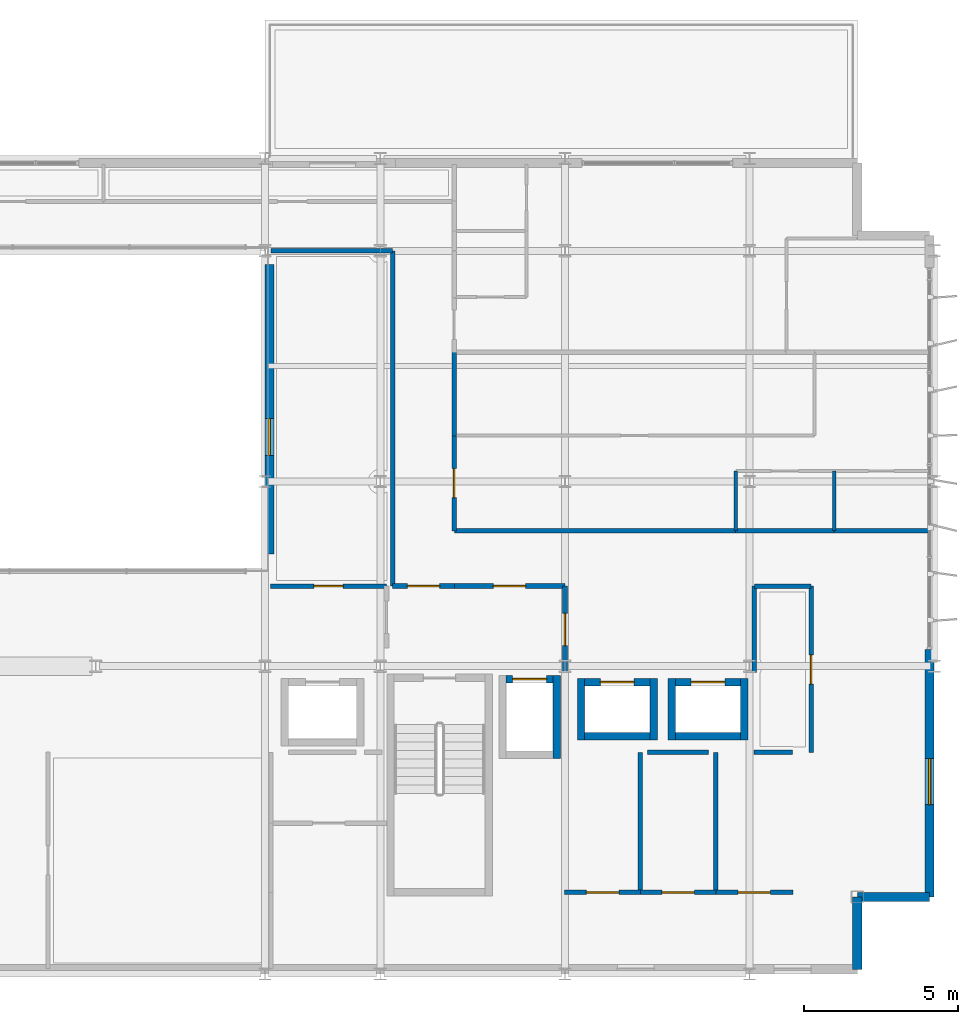
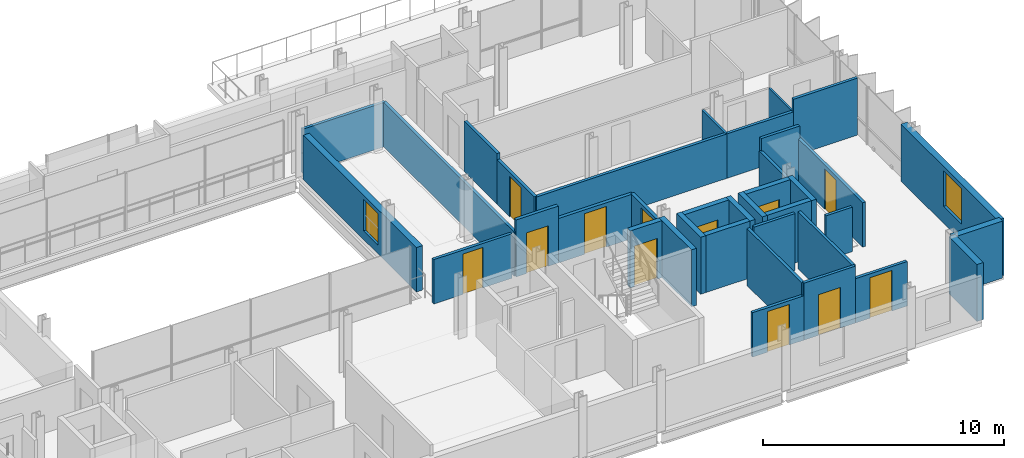
# One storey, part 31 of 38: 37 walls, 12 doors, 2 windows, 14 openings.
"""IFC4 building model written with IfcOpenShell, lengths in metres."""

from ifc_helpers import new_model, si_unit, direction, frame, frame_2d, origin, place, context, subcontext, project, spatial, rectangle, extrude, material, layer, layer_set, type_object, element, fill, save


model = new_model("IFC4")

# Units and contexts
model_context = context("Model", 3, precision=1e-05, world=origin(), true_north=direction((0.0, 1.0)))
body_context = subcontext(model_context, "Body", "Model", "MODEL_VIEW")
ifc_project = project(units=[si_unit("LENGTHUNIT", "METRE"), si_unit("AREAUNIT", "SQUARE_METRE"), si_unit("VOLUMEUNIT", "CUBIC_METRE"), si_unit("PLANEANGLEUNIT", "RADIAN"), si_unit("MASSUNIT", "GRAM", prefix="KILO")], contexts=[model_context])

# Site, building, storey
site_placement = place(None, origin())
site = spatial("IfcSite", under=ifc_project, at=site_placement, CompositionType="ELEMENT")
building_placement = place(site_placement, origin())
building = spatial("IfcBuilding", under=site, at=building_placement, Name="Brevholm Reach", CompositionType="ELEMENT")
storey_placement = place(building_placement, frame((0.0, 0.0, 172.800048828125)))
storey = spatial("IfcBuildingStorey", under=building, at=storey_placement, Name="L52", CompositionType="ELEMENT", Elevation=172.800048828125)

# Wall
ifc_material_1 = material(Name="Concrete C45/55", Category="concrete")
ifc_layer_1 = layer(ifc_material_1, 0.239990234375)
ifc_layer_set_1 = layer_set([ifc_layer_1], Name="Concrete C45/55")
wall_type_1 = type_object("IfcWallType", Name="WAL-COR-240", PredefinedType="SHEAR", material=ifc_layer_set_1)
wall_1_placement = place(storey_placement, frame((47.72998046875, 7.0, 0.0), z_axis=(0.0, 0.0, 1.0), x_axis=(0.0, 1.0, 0.0)))
element("IfcWall", 1, at=wall_1_placement, inside=storey, type_object=wall_type_1, Name="L52 Lift FFL-2 Shaft Wall E", PredefinedType="SHEAR", context=body_context, shape_type="SweptSolid", body=[
    extrude(rectangle(XDim=2.699951171875, YDim=0.239990234375, at=frame_2d((1.35009765625, 0.0))), origin(), (0.0, 0.0, 1.0), 2.889892578125),
])

# Wall, opening, door
wall_2_placement = place(storey_placement, frame((46.090087890625, 9.580078125, 0.0), z_axis=(0.0, 0.0, 1.0), x_axis=(1.0, 0.0, 0.0)))
wall_2 = element("IfcWall", 2, at=wall_2_placement, inside=storey, type_object=wall_type_1, Name="L52 Lift FFL-2 Shaft Wall N", PredefinedType="SHEAR", context=body_context, shape_type="SweptSolid", body=[
    extrude(rectangle(XDim=1.52001953125, YDim=0.239990234375, at=frame_2d((0.760009765625, 0.0))), origin(), (0.0, 0.0, 1.0), 2.889892578125),
])
opening_1_placement = place(wall_2_placement, frame((0.2099609375, 0.0, 0.0)))
opening_1 = element("IfcOpeningElement", 3, at=opening_1_placement, cuts=wall_2, Name="Opening LD-FFL-2", PredefinedType="OPENING", context=body_context, shape_type="SweptSolid", body=[
    extrude(rectangle(XDim=1.10009765625, YDim=2.06005859375, at=frame_2d((0.550048828125, 1.030029296875))), frame((0.0, 0.1298828125, 0.0), z_axis=(0.0, -1.0, 0.0), x_axis=(1.0, 0.0, 0.0)), (0.0, 0.0, 1.0), 0.260009765625),
])
ifc_material_2 = material(Name="Brushed Stainless Steel Fire-Rated Sliding Lift Door", Category="steel")
door_type_1 = type_object("IfcDoorType", Name="DOR-LFT-1100", OperationType="NOTDEFINED", PredefinedType="DOOR", material=ifc_material_2)
door_1_placement = place(opening_1_placement, origin())
door_1 = element("IfcDoor", 4, at=door_1_placement, inside=storey, type_object=door_type_1, Name="L52 Lift FFL-2 Sliding Landing Door", OperationType="SLIDING_TO_LEFT", OverallHeight=2.06005859375, OverallWidth=1.10009765625, PredefinedType="DOOR", context=body_context, shape_type="SweptSolid", body=[
    extrude(rectangle(XDim=1.10009765625, YDim=2.06005859375, at=frame_2d((0.550048828125, 1.030029296875))), frame((0.0, 0.02490234375, 0.0), z_axis=(0.0, -1.0, 0.0), x_axis=(1.0, 0.0, 0.0)), (0.0, 0.0, 1.0), 0.050048828125),
])
fill(opening_1, door_1)

# Walls
for number, where, z_axis, x_axis, name in (
    (5, (48.52001953125, 7.60009765625, 0.0), (0.0, 0.0, 1.0), (0.0, 1.0, 0.0), "L52 Lift PL-H1 Shaft Wall W"),
    (6, (50.8798828125, 7.60009765625, 0.0), (0.0, 0.0, 1.0), (0.0, 1.0, 0.0), "L52 Lift PL-H1 Shaft Wall E"),
):
    element("IfcWall", number, at=place(storey_placement, frame(where, z_axis=z_axis, x_axis=x_axis)), inside=storey, type_object=wall_type_1, Name=name, PredefinedType="SHEAR", context=body_context, shape_type="SweptSolid", body=[
        extrude(rectangle(XDim=2.0, YDim=0.239990234375, at=frame_2d((1.0, 0.0))), origin(), (0.0, 0.0, 1.0), 2.889892578125),
    ])
wall_3_placement = place(storey_placement, frame((48.639892578125, 7.719970703125, 0.0), z_axis=(0.0, 0.0, 1.0), x_axis=(1.0, 0.0, 0.0)))
element("IfcWall", 7, at=wall_3_placement, inside=storey, type_object=wall_type_1, Name="L52 Lift PL-H1 Shaft Wall S", PredefinedType="SHEAR", context=body_context, shape_type="SweptSolid", body=[
    extrude(rectangle(XDim=2.1201171875, YDim=0.239990234375, at=frame_2d((1.06005859375, 0.0))), origin(), (0.0, 0.0, 1.0), 2.889892578125),
])

# Wall, opening, door
wall_4_placement = place(storey_placement, frame((48.639892578125, 9.47998046875, 0.0), z_axis=(0.0, 0.0, 1.0), x_axis=(1.0, 0.0, 0.0)))
wall_4 = element("IfcWall", 8, at=wall_4_placement, inside=storey, type_object=wall_type_1, Name="L52 Lift PL-H1 Shaft Wall N", PredefinedType="SHEAR", context=body_context, shape_type="SweptSolid", body=[
    extrude(rectangle(XDim=2.1201171875, YDim=0.239990234375, at=frame_2d((1.06005859375, 0.0))), origin(), (0.0, 0.0, 1.0), 2.889892578125),
])
opening_2_placement = place(wall_4_placement, frame((0.510009765625, 0.0, 0.0)))
opening_2 = element("IfcOpeningElement", 9, at=opening_2_placement, cuts=wall_4, Name="Opening LD-PL-H1", PredefinedType="OPENING", context=body_context, shape_type="SweptSolid", body=[
    extrude(rectangle(XDim=1.10009765625, YDim=2.06005859375, at=frame_2d((0.550048828125, 1.030029296875))), frame((0.0, 0.1298828125, 0.0), z_axis=(0.0, -1.0, 0.0), x_axis=(1.0, 0.0, 0.0)), (0.0, 0.0, 1.0), 0.260009765625),
])
door_2_placement = place(opening_2_placement, origin())
door_2 = element("IfcDoor", 10, at=door_2_placement, inside=storey, type_object=door_type_1, Name="L52 Lift PL-H1 Sliding Landing Door", OperationType="SLIDING_TO_LEFT", OverallHeight=2.06005859375, OverallWidth=1.10009765625, PredefinedType="DOOR", context=body_context, shape_type="SweptSolid", body=[
    extrude(rectangle(XDim=1.10009765625, YDim=2.06005859375, at=frame_2d((0.550048828125, 1.030029296875))), frame((0.0, 0.02490234375, 0.0), z_axis=(0.0, -1.0, 0.0), x_axis=(1.0, 0.0, 0.0)), (0.0, 0.0, 1.0), 0.050048828125),
])
fill(opening_2, door_2)

# Walls
for number, where, z_axis, x_axis, name in (
    (11, (51.469970703125, 7.60009765625, 0.0), (0.0, 0.0, 1.0), (0.0, 1.0, 0.0), "L52 Lift PL-H2 Shaft Wall W"),
    (12, (53.830078125, 7.60009765625, 0.0), (0.0, 0.0, 1.0), (0.0, 1.0, 0.0), "L52 Lift PL-H2 Shaft Wall E"),
):
    element("IfcWall", number, at=place(storey_placement, frame(where, z_axis=z_axis, x_axis=x_axis)), inside=storey, type_object=wall_type_1, Name=name, PredefinedType="SHEAR", context=body_context, shape_type="SweptSolid", body=[
        extrude(rectangle(XDim=2.0, YDim=0.239990234375, at=frame_2d((1.0, 0.0))), origin(), (0.0, 0.0, 1.0), 2.889892578125),
    ])
wall_5_placement = place(storey_placement, frame((51.590087890625, 7.719970703125, 0.0), z_axis=(0.0, 0.0, 1.0), x_axis=(1.0, 0.0, 0.0)))
element("IfcWall", 13, at=wall_5_placement, inside=storey, type_object=wall_type_1, Name="L52 Lift PL-H2 Shaft Wall S", PredefinedType="SHEAR", context=body_context, shape_type="SweptSolid", body=[
    extrude(rectangle(XDim=2.119873046875, YDim=0.239990234375, at=frame_2d((1.06005859375, 0.0))), origin(), (0.0, 0.0, 1.0), 2.889892578125),
])

# Wall, opening, door
wall_6_placement = place(storey_placement, frame((51.590087890625, 9.47998046875, 0.0), z_axis=(0.0, 0.0, 1.0), x_axis=(1.0, 0.0, 0.0)))
wall_6 = element("IfcWall", 14, at=wall_6_placement, inside=storey, type_object=wall_type_1, Name="L52 Lift PL-H2 Shaft Wall N", PredefinedType="SHEAR", context=body_context, shape_type="SweptSolid", body=[
    extrude(rectangle(XDim=2.119873046875, YDim=0.239990234375, at=frame_2d((1.06005859375, 0.0))), origin(), (0.0, 0.0, 1.0), 2.889892578125),
])
opening_3_placement = place(wall_6_placement, frame((0.510009765625, 0.0, 0.0)))
opening_3 = element("IfcOpeningElement", 15, at=opening_3_placement, cuts=wall_6, Name="Opening LD-PL-H2", PredefinedType="OPENING", context=body_context, shape_type="SweptSolid", body=[
    extrude(rectangle(XDim=1.10009765625, YDim=2.06005859375, at=frame_2d((0.550048828125, 1.030029296875))), frame((0.0, 0.1298828125, 0.0), z_axis=(0.0, -1.0, 0.0), x_axis=(1.0, 0.0, 0.0)), (0.0, 0.0, 1.0), 0.260009765625),
])
door_3_placement = place(opening_3_placement, origin())
door_3 = element("IfcDoor", 16, at=door_3_placement, inside=storey, type_object=door_type_1, Name="L52 Lift PL-H2 Sliding Landing Door", OperationType="SLIDING_TO_RIGHT", OverallHeight=2.06005859375, OverallWidth=1.10009765625, PredefinedType="DOOR", context=body_context, shape_type="SweptSolid", body=[
    extrude(rectangle(XDim=1.10009765625, YDim=2.06005859375, at=frame_2d((0.550048828125, 1.030029296875))), frame((0.0, 0.02490234375, 0.0), z_axis=(0.0, -1.0, 0.0), x_axis=(1.0, 0.0, 0.0)), (0.0, 0.0, 1.0), 0.050048828125),
])
fill(opening_3, door_3)

# Walls
ifc_material_3 = material(Name="Concrete C40/50", Category="concrete")
ifc_layer_2 = layer(ifc_material_3, 0.300048828125)
ifc_layer_set_2 = layer_set([ifc_layer_2], Name="Concrete C40/50")
wall_type_2 = type_object("IfcWallType", Name="WAL-EXT-300", PredefinedType="STANDARD", material=ifc_layer_set_2)
for number, where, z_axis, x_axis, name in (
    (17, (57.5, 0.14990234375, 0.0), (0.0, 0.0, 1.0), (0.0, 1.0, 0.0), "L52 Facade Wall WAL-L52-CSE1"),
    (18, (57.5, 2.5, 0.0), (0.0, 0.0, 1.0), (1.0, 0.0, 0.0), "L52 Facade Wall WAL-L52-CSE2"),
):
    element("IfcWall", number, at=place(storey_placement, frame(where, z_axis=z_axis, x_axis=x_axis)), inside=storey, type_object=wall_type_2, Name=name, PredefinedType="STANDARD", context=body_context, shape_type="SweptSolid", body=[
        extrude(rectangle(XDim=2.35009765625, YDim=0.300048828125, at=frame_2d((1.175048828125, 0.0))), origin(), (0.0, 0.0, 1.0), 2.889892578125),
    ])

# Wall, opening, window
wall_7_placement = place(storey_placement, frame((59.85009765625, 2.5, 0.0), z_axis=(0.0, 0.0, 1.0), x_axis=(0.0, 1.0, 0.0)))
wall_7 = element("IfcWall", 19, at=wall_7_placement, inside=storey, type_object=wall_type_2, Name="L52 Facade Wall WAL-L52-E-S", PredefinedType="STANDARD", context=body_context, shape_type="SweptSolid", body=[
    extrude(rectangle(XDim=8.050048828125, YDim=0.300048828125, at=frame_2d((4.02490234375, 0.0))), origin(), (0.0, 0.0, 1.0), 2.889892578125),
])
opening_4_placement = place(wall_7_placement, frame((3.0, 0.0, 0.8701171875)))
opening_4 = element("IfcOpeningElement", 20, at=opening_4_placement, cuts=wall_7, Name="Opening WN-05", PredefinedType="OPENING", context=body_context, shape_type="SweptSolid", body=[
    extrude(rectangle(XDim=1.5, YDim=1.800048828125, at=frame_2d((0.75, 0.89990234375))), frame((0.0, 0.159912109375, 0.0), z_axis=(0.0, -1.0, 0.0), x_axis=(1.0, 0.0, 0.0)), (0.0, 0.0, 1.0), 0.320068359375),
])
ifc_material_4 = material(Name="Dark Anodised Aluminium and Solar-Control IGU Glass", Category="aluminium")
window_type_1 = type_object("IfcWindowType", Name="WIN-RES-1500", PartitioningType="SINGLE_PANEL", PredefinedType="WINDOW", material=ifc_material_4)
window_1_placement = place(opening_4_placement, origin())
window_1 = element("IfcWindow", 21, at=window_1_placement, inside=storey, type_object=window_type_1, Name="L52 Window WIN-L52-ES-1", OverallHeight=1.800048828125, OverallWidth=1.5, PartitioningType="SINGLE_PANEL", PredefinedType="WINDOW", context=body_context, shape_type="SweptSolid", body=[
    extrude(rectangle(XDim=1.5, YDim=1.800048828125, at=frame_2d((0.75, 0.89990234375))), frame((0.0, 0.030029296875, 0.0), z_axis=(0.0, -1.0, 0.0), x_axis=(1.0, 0.0, 0.0)), (0.0, 0.0, 1.0), 0.06005859375),
])
fill(opening_4, window_1)

wall_8_placement = place(storey_placement, frame((38.39990234375, 13.64990234375, 0.0), z_axis=(0.0, 0.0, 1.0), x_axis=(0.0, 1.0, 0.0)))
wall_8 = element("IfcWall", 22, at=wall_8_placement, inside=storey, type_object=wall_type_2, Name="L52 Facade Wall WAL-L52-AT-E", PredefinedType="STANDARD", context=body_context, shape_type="SweptSolid", body=[
    extrude(rectangle(XDim=9.400146484375, YDim=0.300048828125, at=frame_2d((4.7001953125, 0.0))), origin(), (0.0, 0.0, 1.0), 2.252685546875),
])
opening_5_placement = place(wall_8_placement, frame((3.199951171875, 0.0, 0.43310546875)))
opening_5 = element("IfcOpeningElement", 23, at=opening_5_placement, cuts=wall_8, Name="Opening WN-08", PredefinedType="OPENING", context=body_context, shape_type="SweptSolid", body=[
    extrude(rectangle(XDim=1.199951171875, YDim=1.60009765625, at=frame_2d((0.60009765625, 0.800048828125))), frame((0.0, 0.159912109375, 0.0), z_axis=(0.0, -1.0, 0.0), x_axis=(1.0, 0.0, 0.0)), (0.0, 0.0, 1.0), 0.320068359375),
])
ifc_material_5 = material(Name="Dark Anodised Aluminium and Solar-Control IGU Glass", Category="aluminium")
window_type_2 = type_object("IfcWindowType", Name="WIN-RES-1200", PartitioningType="SINGLE_PANEL", PredefinedType="WINDOW", material=ifc_material_5)
window_2_placement = place(opening_5_placement, origin())
window_2 = element("IfcWindow", 24, at=window_2_placement, inside=storey, type_object=window_type_2, Name="L52 Window WIN-L52-AT-E1", OverallHeight=1.60009765625, OverallWidth=1.199951171875, PartitioningType="SINGLE_PANEL", PredefinedType="WINDOW", context=body_context, shape_type="SweptSolid", body=[
    extrude(rectangle(XDim=1.199951171875, YDim=1.60009765625, at=frame_2d((0.60009765625, 0.800048828125))), frame((0.0, 0.030029296875, 0.0), z_axis=(0.0, -1.0, 0.0), x_axis=(1.0, 0.0, 0.0)), (0.0, 0.0, 1.0), 0.06005859375),
])
fill(opening_5, window_2)

# Walls
ifc_material_6 = material(Name="Moisture-Resistant Acoustic Gypsum Stud Partition 100 mm", Category="gypsum")
ifc_layer_3 = layer(ifc_material_6, 0.10009765625)
ifc_layer_set_3 = layer_set([ifc_layer_3], Name="Moisture-Resistant Acoustic Gypsum Stud Partition 100 mm")
wall_type_3 = type_object("IfcWallType", Name="WAL-PRT-100", PredefinedType="PARTITIONING", material=ifc_layer_set_3)
for number, where, z_axis, x_axis, name in (
    (25, (56.75, 14.404052734375, 0.0), (0.0, 0.0, 1.0), (0.0, 1.0, 0.0), "L52 Internal Partition 087"),
    (26, (53.550048828125, 14.404052734375, 0.0), (0.0, 0.0, 1.0), (0.0, 1.0, 0.0), "L52 Internal Partition 090"),
):
    element("IfcWall", number, at=place(storey_placement, frame(where, z_axis=z_axis, x_axis=x_axis)), inside=storey, type_object=wall_type_3, Name=name, PredefinedType="PARTITIONING", context=body_context, shape_type="SweptSolid", body=[
        extrude(rectangle(XDim=1.946044921875, YDim=0.10009765625, at=frame_2d((0.97314453125, 0.0))), origin(), (0.0, 0.0, 1.0), 2.252685546875),
    ])

# Wall, opening, door
ifc_material_7 = material(Name="Twin-Stud Acoustic Fire-Rated Gypsum Partition 140 mm", Category="gypsum")
ifc_layer_4 = layer(ifc_material_7, 0.139892578125)
ifc_layer_set_4 = layer_set([ifc_layer_4], Name="Twin-Stud Acoustic Fire-Rated Gypsum Partition 140 mm")
wall_type_4 = type_object("IfcWallType", Name="WAL-PRT-140", PredefinedType="PARTITIONING", material=ifc_layer_set_4)
wall_9_placement = place(storey_placement, frame((56.0, 7.188720703125, 0.0), z_axis=(0.0, 0.0, 1.0), x_axis=(0.0, 1.0, 0.0)))
wall_9 = element("IfcWall", 27, at=wall_9_placement, inside=storey, type_object=wall_type_4, Name="L52 Internal Partition 016", PredefinedType="PARTITIONING", context=body_context, shape_type="SweptSolid", body=[
    extrude(rectangle(XDim=5.411376953125, YDim=0.139892578125, at=frame_2d((2.70556640625, 0.0))), origin(), (0.0, 0.0, 1.0), 2.252685546875),
])
opening_6_placement = place(wall_9_placement, frame((2.230712890625, 0.0, 0.0)))
opening_6 = element("IfcOpeningElement", 28, at=opening_6_placement, cuts=wall_9, Name="Opening ID-30", PredefinedType="OPENING", context=body_context, shape_type="SweptSolid", body=[
    extrude(rectangle(XDim=0.949951171875, YDim=2.050048828125, at=frame_2d((0.47509765625, 1.02490234375))), frame((0.0, 0.079833984375, 0.0), z_axis=(0.0, -1.0, 0.0), x_axis=(1.0, 0.0, 0.0)), (0.0, 0.0, 1.0), 0.159912109375),
])
ifc_material_8 = material(Name="European Oak Veneered Solid-Core Fire Entrance Door", Category="timber")
door_type_2 = type_object("IfcDoorType", Name="DOR-FLT-FD30S", OperationType="NOTDEFINED", PredefinedType="DOOR", material=ifc_material_8)
door_4_placement = place(opening_6_placement, origin())
door_4 = element("IfcDoor", 29, at=door_4_placement, inside=storey, type_object=door_type_2, Name="L52 Internal Door 007", OperationType="SINGLE_SWING_RIGHT", OverallHeight=2.050048828125, OverallWidth=0.949951171875, PredefinedType="DOOR", context=body_context, shape_type="SweptSolid", body=[
    extrude(rectangle(XDim=0.949951171875, YDim=2.050048828125, at=frame_2d((0.47509765625, 1.02490234375))), frame((0.0, 0.02490234375, 0.0), z_axis=(0.0, -1.0, 0.0), x_axis=(1.0, 0.0, 0.0)), (0.0, 0.0, 1.0), 0.050048828125),
])
fill(opening_6, door_4)

wall_10_placement = place(storey_placement, frame((47.98876953125, 2.64990234375, 0.0), z_axis=(0.0, 0.0, 1.0), x_axis=(1.0, 0.0, 0.0)))
wall_10 = element("IfcWall", 30, at=wall_10_placement, inside=storey, type_object=wall_type_4, Name="L52 Internal Partition 017", PredefinedType="PARTITIONING", context=body_context, shape_type="SweptSolid", body=[
    extrude(rectangle(XDim=2.472412109375, YDim=0.139892578125, at=frame_2d((1.236328125, 0.0))), origin(), (0.0, 0.0, 1.0), 2.252685546875),
])
opening_7_placement = place(wall_10_placement, frame((0.711181640625, 0.0, 0.0)))
opening_7 = element("IfcOpeningElement", 31, at=opening_7_placement, cuts=wall_10, Name="Opening FD-01", PredefinedType="OPENING", context=body_context, shape_type="SweptSolid", body=[
    extrude(rectangle(XDim=1.050048828125, YDim=2.06005859375, at=frame_2d((0.52490234375, 1.030029296875))), frame((0.0, 0.079833984375, 0.0), z_axis=(0.0, -1.0, 0.0), x_axis=(1.0, 0.0, 0.0)), (0.0, 0.0, 1.0), 0.159912109375),
])
ifc_material_9 = material(Name="Hardwood-Lipped Steel-Core Fire and Smoke Door", Category="steel")
door_type_3 = type_object("IfcDoorType", Name="DOR-INT-FD60S", OperationType="NOTDEFINED", PredefinedType="DOOR", material=ifc_material_9)
door_5_placement = place(opening_7_placement, origin())
door_5 = element("IfcDoor", 32, at=door_5_placement, inside=storey, type_object=door_type_3, Name="L52 Internal Door 008", OperationType="SINGLE_SWING_LEFT", OverallHeight=2.06005859375, OverallWidth=1.050048828125, PredefinedType="DOOR", context=body_context, shape_type="SweptSolid", body=[
    extrude(rectangle(XDim=1.050048828125, YDim=2.06005859375, at=frame_2d((0.52490234375, 1.030029296875))), frame((0.0, 0.02490234375, 0.0), z_axis=(0.0, -1.0, 0.0), x_axis=(1.0, 0.0, 0.0)), (0.0, 0.0, 1.0), 0.050048828125),
])
fill(opening_7, door_5)

wall_11_placement = place(storey_placement, frame((50.442626953125, 2.64990234375, 0.0), z_axis=(0.0, 0.0, 1.0), x_axis=(1.0, 0.0, 0.0)))
wall_11 = element("IfcWall", 33, at=wall_11_placement, inside=storey, type_object=wall_type_4, Name="L52 Internal Partition 018", PredefinedType="PARTITIONING", context=body_context, shape_type="SweptSolid", body=[
    extrude(rectangle(XDim=2.46875, YDim=0.139892578125, at=frame_2d((1.234375, 0.0))), origin(), (0.0, 0.0, 1.0), 2.889892578125),
])
opening_8_placement = place(wall_11_placement, frame((0.709228515625, 0.0, 0.0)))
opening_8 = element("IfcOpeningElement", 34, at=opening_8_placement, cuts=wall_11, Name="Opening FD-01", PredefinedType="OPENING", context=body_context, shape_type="SweptSolid", body=[
    extrude(rectangle(XDim=1.050048828125, YDim=2.06005859375, at=frame_2d((0.52490234375, 1.030029296875))), frame((0.0, 0.079833984375, 0.0), z_axis=(0.0, -1.0, 0.0), x_axis=(1.0, 0.0, 0.0)), (0.0, 0.0, 1.0), 0.159912109375),
])
door_6_placement = place(opening_8_placement, origin())
door_6 = element("IfcDoor", 35, at=door_6_placement, inside=storey, type_object=door_type_3, Name="L52 Internal Door 009", OperationType="SINGLE_SWING_RIGHT", OverallHeight=2.06005859375, OverallWidth=1.050048828125, PredefinedType="DOOR", context=body_context, shape_type="SweptSolid", body=[
    extrude(rectangle(XDim=1.050048828125, YDim=2.06005859375, at=frame_2d((0.52490234375, 1.030029296875))), frame((0.0, 0.02490234375, 0.0), z_axis=(0.0, -1.0, 0.0), x_axis=(1.0, 0.0, 0.0)), (0.0, 0.0, 1.0), 0.050048828125),
])
fill(opening_8, door_6)

wall_12_placement = place(storey_placement, frame((52.892578125, 2.64990234375, 0.0), z_axis=(0.0, 0.0, 1.0), x_axis=(1.0, 0.0, 0.0)))
wall_12 = element("IfcWall", 36, at=wall_12_placement, inside=storey, type_object=wall_type_4, Name="L52 Internal Partition 019", PredefinedType="PARTITIONING", context=body_context, shape_type="SweptSolid", body=[
    extrude(rectangle(XDim=2.518798828125, YDim=0.139892578125, at=frame_2d((1.25927734375, 0.0))), origin(), (0.0, 0.0, 1.0), 2.252685546875),
])
opening_9_placement = place(wall_12_placement, frame((0.734375, 0.0, 0.0)))
opening_9 = element("IfcOpeningElement", 37, at=opening_9_placement, cuts=wall_12, Name="Opening FD-01", PredefinedType="OPENING", context=body_context, shape_type="SweptSolid", body=[
    extrude(rectangle(XDim=1.050048828125, YDim=2.06005859375, at=frame_2d((0.52490234375, 1.030029296875))), frame((0.0, 0.079833984375, 0.0), z_axis=(0.0, -1.0, 0.0), x_axis=(1.0, 0.0, 0.0)), (0.0, 0.0, 1.0), 0.159912109375),
])
door_7_placement = place(opening_9_placement, origin())
door_7 = element("IfcDoor", 38, at=door_7_placement, inside=storey, type_object=door_type_3, Name="L52 Internal Door 010", OperationType="SINGLE_SWING_LEFT", OverallHeight=2.06005859375, OverallWidth=1.050048828125, PredefinedType="DOOR", context=body_context, shape_type="SweptSolid", body=[
    extrude(rectangle(XDim=1.050048828125, YDim=2.06005859375, at=frame_2d((0.52490234375, 1.030029296875))), frame((0.0, 0.02490234375, 0.0), z_axis=(0.0, -1.0, 0.0), x_axis=(1.0, 0.0, 0.0)), (0.0, 0.0, 1.0), 0.050048828125),
])
fill(opening_9, door_7)

# Walls
for number, where, z_axis, x_axis, name in (
    (39, (50.449951171875, 2.654052734375, 0.0), (0.0, 0.0, 1.0), (0.0, 1.0, 0.0), "L52 Internal Partition 025"),
    (40, (52.89990234375, 2.654052734375, 0.0), (0.0, 0.0, 1.0), (0.0, 1.0, 0.0), "L52 Internal Partition 026"),
):
    element("IfcWall", number, at=place(storey_placement, frame(where, z_axis=z_axis, x_axis=x_axis)), inside=storey, type_object=wall_type_4, Name=name, PredefinedType="PARTITIONING", context=body_context, shape_type="SweptSolid", body=[
        extrude(rectangle(XDim=4.5458984375, YDim=0.139892578125, at=frame_2d((2.27294921875, 0.0))), origin(), (0.0, 0.0, 1.0), 2.889892578125),
    ])
wall_13_placement = place(storey_placement, frame((54.138671875, 7.199951171875, 0.0), z_axis=(0.0, 0.0, 1.0), x_axis=(1.0, 0.0, 0.0)))
element("IfcWall", 41, at=wall_13_placement, inside=storey, type_object=wall_type_4, Name="L52 Internal Partition 027", PredefinedType="PARTITIONING", context=body_context, shape_type="SweptSolid", body=[
    extrude(rectangle(XDim=1.26123046875, YDim=0.139892578125, at=frame_2d((0.630615234375, 0.0))), origin(), (0.0, 0.0, 1.0), 2.252685546875),
])
wall_14_placement = place(storey_placement, frame((54.14990234375, 9.800048828125, 0.0), z_axis=(0.0, 0.0, 1.0), x_axis=(0.0, 1.0, 0.0)))
element("IfcWall", 42, at=wall_14_placement, inside=storey, type_object=wall_type_4, Name="L52 Internal Partition 038", PredefinedType="PARTITIONING", context=body_context, shape_type="SweptSolid", body=[
    extrude(rectangle(XDim=2.800048828125, YDim=0.139892578125, at=frame_2d((1.39990234375, 0.0))), origin(), (0.0, 0.0, 1.0), 2.252685546875),
])
wall_15_placement = place(storey_placement, frame((54.154052734375, 12.60009765625, 0.0), z_axis=(0.0, 0.0, 1.0), x_axis=(1.0, 0.0, 0.0)))
element("IfcWall", 43, at=wall_15_placement, inside=storey, type_object=wall_type_4, Name="L52 Internal Partition 039", PredefinedType="PARTITIONING", context=body_context, shape_type="SweptSolid", body=[
    extrude(rectangle(XDim=1.842041015625, YDim=0.139892578125, at=frame_2d((0.9208984375, 0.0))), origin(), (0.0, 0.0, 1.0), 2.889892578125),
])

# Wall, opening, door
wall_16_placement = place(storey_placement, frame((38.438720703125, 12.60009765625, 0.0), z_axis=(0.0, 0.0, 1.0), x_axis=(1.0, 0.0, 0.0)))
wall_16 = element("IfcWall", 44, at=wall_16_placement, inside=storey, type_object=wall_type_4, Name="L52 Internal Partition 040", PredefinedType="PARTITIONING", context=body_context, shape_type="SweptSolid", body=[
    extrude(rectangle(XDim=3.75732421875, YDim=0.139892578125, at=frame_2d((1.878662109375, 0.0))), origin(), (0.0, 0.0, 1.0), 2.252685546875),
])
opening_10_placement = place(wall_16_placement, frame((1.40380859375, 0.0, 0.0)))
opening_10 = element("IfcOpeningElement", 45, at=opening_10_placement, cuts=wall_16, Name="Opening ID-30", PredefinedType="OPENING", context=body_context, shape_type="SweptSolid", body=[
    extrude(rectangle(XDim=0.949951171875, YDim=2.050048828125, at=frame_2d((0.47509765625, 1.02490234375))), frame((0.0, 0.079833984375, 0.0), z_axis=(0.0, -1.0, 0.0), x_axis=(1.0, 0.0, 0.0)), (0.0, 0.0, 1.0), 0.159912109375),
])
door_8_placement = place(opening_10_placement, origin())
door_8 = element("IfcDoor", 46, at=door_8_placement, inside=storey, type_object=door_type_2, Name="L52 Internal Door 020", OperationType="SINGLE_SWING_LEFT", OverallHeight=2.050048828125, OverallWidth=0.949951171875, PredefinedType="DOOR", context=body_context, shape_type="SweptSolid", body=[
    extrude(rectangle(XDim=0.949951171875, YDim=2.050048828125, at=frame_2d((0.47509765625, 1.02490234375))), frame((0.0, 0.02490234375, 0.0), z_axis=(0.0, -1.0, 0.0), x_axis=(1.0, 0.0, 0.0)), (0.0, 0.0, 1.0), 0.050048828125),
])
fill(opening_10, door_8)

# Wall
wall_17_placement = place(storey_placement, frame((44.39990234375, 17.48876953125, 0.0), z_axis=(0.0, 0.0, 1.0), x_axis=(0.0, 1.0, 0.0)))
element("IfcWall", 47, at=wall_17_placement, inside=storey, type_object=wall_type_4, Name="L52 Internal Partition 047", PredefinedType="PARTITIONING", context=body_context, shape_type="SweptSolid", body=[
    extrude(rectangle(XDim=2.722412109375, YDim=0.139892578125, at=frame_2d((1.361328125, 0.0))), origin(), (0.0, 0.0, 1.0), 2.5615234375),
])

# Wall, opening, door
wall_18_placement = place(storey_placement, frame((44.39990234375, 14.392578125, 0.0), z_axis=(0.0, 0.0, 1.0), x_axis=(0.0, 1.0, 0.0)))
wall_18 = element("IfcWall", 48, at=wall_18_placement, inside=storey, type_object=wall_type_4, Name="L52 Internal Partition 048", PredefinedType="PARTITIONING", context=body_context, shape_type="SweptSolid", body=[
    extrude(rectangle(XDim=3.11474609375, YDim=0.139892578125, at=frame_2d((1.557373046875, 0.0))), origin(), (0.0, 0.0, 1.0), 2.252685546875),
])
opening_11_placement = place(wall_18_placement, frame((1.082275390625, 0.0, 0.0)))
opening_11 = element("IfcOpeningElement", 49, at=opening_11_placement, cuts=wall_18, Name="Opening ID-30", PredefinedType="OPENING", context=body_context, shape_type="SweptSolid", body=[
    extrude(rectangle(XDim=0.949951171875, YDim=2.050048828125, at=frame_2d((0.47509765625, 1.02490234375))), frame((0.0, 0.079833984375, 0.0), z_axis=(0.0, -1.0, 0.0), x_axis=(1.0, 0.0, 0.0)), (0.0, 0.0, 1.0), 0.159912109375),
])
door_9_placement = place(opening_11_placement, origin())
door_9 = element("IfcDoor", 50, at=door_9_placement, inside=storey, type_object=door_type_2, Name="L52 Internal Door 024", OperationType="SINGLE_SWING_LEFT", OverallHeight=2.050048828125, OverallWidth=0.949951171875, PredefinedType="DOOR", context=body_context, shape_type="SweptSolid", body=[
    extrude(rectangle(XDim=0.949951171875, YDim=2.050048828125, at=frame_2d((0.47509765625, 1.02490234375))), frame((0.0, 0.02490234375, 0.0), z_axis=(0.0, -1.0, 0.0), x_axis=(1.0, 0.0, 0.0)), (0.0, 0.0, 1.0), 0.050048828125),
])
fill(opening_11, door_9)

# Walls
wall_19_placement = place(storey_placement, frame((42.39990234375, 12.60400390625, 0.0), z_axis=(0.0, 0.0, 1.0), x_axis=(0.0, 1.0, 0.0)))
element("IfcWall", 51, at=wall_19_placement, inside=storey, type_object=wall_type_4, Name="L52 Internal Partition 051", PredefinedType="PARTITIONING", context=body_context, shape_type="SweptSolid", body=[
    extrude(rectangle(XDim=10.89599609375, YDim=0.139892578125, at=frame_2d((5.447998046875, 0.0))), origin(), (0.0, 0.0, 1.0), 2.252685546875),
])
wall_20_placement = place(storey_placement, frame((56.73876953125, 14.39990234375, 0.0), z_axis=(0.0, 0.0, 1.0), x_axis=(1.0, 0.0, 0.0)))
element("IfcWall", 52, at=wall_20_placement, inside=storey, type_object=wall_type_4, Name="L52 Internal Partition 052", PredefinedType="PARTITIONING", context=body_context, shape_type="SweptSolid", body=[
    extrude(rectangle(XDim=3.072509765625, YDim=0.139892578125, at=frame_2d((1.5361328125, 0.0))), origin(), (0.0, 0.0, 1.0), 2.889892578125),
])
wall_21_placement = place(storey_placement, frame((53.538818359375, 14.39990234375, 0.0), z_axis=(0.0, 0.0, 1.0), x_axis=(1.0, 0.0, 0.0)))
element("IfcWall", 53, at=wall_21_placement, inside=storey, type_object=wall_type_4, Name="L52 Internal Partition 053", PredefinedType="PARTITIONING", context=body_context, shape_type="SweptSolid", body=[
    extrude(rectangle(XDim=3.218505859375, YDim=0.139892578125, at=frame_2d((1.609375, 0.0))), origin(), (0.0, 0.0, 1.0), 2.252685546875),
])
wall_22_placement = place(storey_placement, frame((44.404052734375, 14.39990234375, 0.0), z_axis=(0.0, 0.0, 1.0), x_axis=(1.0, 0.0, 0.0)))
element("IfcWall", 54, at=wall_22_placement, inside=storey, type_object=wall_type_4, Name="L52 Internal Partition 054", PredefinedType="PARTITIONING", context=body_context, shape_type="SweptSolid", body=[
    extrude(rectangle(XDim=9.1533203125, YDim=0.139892578125, at=frame_2d((4.57666015625, 0.0))), origin(), (0.0, 0.0, 1.0), 2.252685546875),
])
wall_23_placement = place(storey_placement, frame((38.449951171875, 23.5, 0.0), z_axis=(0.0, 0.0, 1.0), x_axis=(1.0, 0.0, 0.0)))
element("IfcWall", 55, at=wall_23_placement, inside=storey, type_object=wall_type_4, Name="L52 Internal Partition 106", PredefinedType="PARTITIONING", context=body_context, shape_type="SweptSolid", body=[
    extrude(rectangle(XDim=3.946044921875, YDim=0.139892578125, at=frame_2d((1.97314453125, 0.0))), origin(), (0.0, 0.0, 1.0), 2.252685546875),
])
wall_24_placement = place(storey_placement, frame((50.68994140625, 7.199951171875, 0.0), z_axis=(0.0, 0.0, 1.0), x_axis=(1.0, 0.0, 0.0)))
element("IfcWall", 56, at=wall_24_placement, inside=storey, type_object=wall_type_4, Name="L52 Internal Partition 117", PredefinedType="PARTITIONING", context=body_context, shape_type="SweptSolid", body=[
    extrude(rectangle(XDim=1.969970703125, YDim=0.139892578125, at=frame_2d((0.98486328125, 0.0))), origin(), (0.0, 0.0, 1.0), 2.889892578125),
])

# Wall, opening, door
ifc_material_10 = material(Name="Twin-Frame Fire-Rated Gypsum Board and Mineral Wool 160 mm", Category="gypsum")
ifc_layer_5 = layer(ifc_material_10, 0.159912109375)
ifc_layer_set_5 = layer_set([ifc_layer_5], Name="Twin-Frame Fire-Rated Gypsum Board and Mineral Wool 160 mm")
wall_type_5 = type_object("IfcWallType", Name="WAL-PRT-160", PredefinedType="PARTITIONING", material=ifc_layer_set_5)
wall_25_placement = place(storey_placement, frame((48.0, 9.788818359375, 0.0), z_axis=(0.0, 0.0, 1.0), x_axis=(0.0, 1.0, 0.0)))
wall_25 = element("IfcWall", 57, at=wall_25_placement, inside=storey, type_object=wall_type_5, Name="L52 Internal Partition 034", PredefinedType="PARTITIONING", context=body_context, shape_type="SweptSolid", body=[
    extrude(rectangle(XDim=2.811279296875, YDim=0.159912109375, at=frame_2d((1.40576171875, 0.0))), origin(), (0.0, 0.0, 1.0), 2.252685546875),
])
opening_12_placement = place(wall_25_placement, frame((0.880615234375, 0.0, 0.0)))
opening_12 = element("IfcOpeningElement", 58, at=opening_12_placement, cuts=wall_25, Name="Opening FD-01", PredefinedType="OPENING", context=body_context, shape_type="SweptSolid", body=[
    extrude(rectangle(XDim=1.050048828125, YDim=2.06005859375, at=frame_2d((0.52490234375, 1.030029296875))), frame((0.0, 0.08984375, 0.0), z_axis=(0.0, -1.0, 0.0), x_axis=(1.0, 0.0, 0.0)), (0.0, 0.0, 1.0), 0.179931640625),
])
door_10_placement = place(opening_12_placement, origin())
door_10 = element("IfcDoor", 59, at=door_10_placement, inside=storey, type_object=door_type_3, Name="L52 Internal Door 016", OperationType="SINGLE_SWING_LEFT", OverallHeight=2.06005859375, OverallWidth=1.050048828125, PredefinedType="DOOR", context=body_context, shape_type="SweptSolid", body=[
    extrude(rectangle(XDim=1.050048828125, YDim=2.06005859375, at=frame_2d((0.52490234375, 1.030029296875))), frame((0.0, 0.02490234375, 0.0), z_axis=(0.0, -1.0, 0.0), x_axis=(1.0, 0.0, 0.0)), (0.0, 0.0, 1.0), 0.050048828125),
])
fill(opening_12, door_10)

wall_26_placement = place(storey_placement, frame((42.388671875, 12.60009765625, 0.0), z_axis=(0.0, 0.0, 1.0), x_axis=(1.0, 0.0, 0.0)))
wall_26 = element("IfcWall", 60, at=wall_26_placement, inside=storey, type_object=wall_type_5, Name="L52 Internal Partition 036", PredefinedType="PARTITIONING", context=body_context, shape_type="SweptSolid", body=[
    extrude(rectangle(XDim=2.022705078125, YDim=0.159912109375, at=frame_2d((1.01123046875, 0.0))), origin(), (0.0, 0.0, 1.0), 2.889892578125),
])
opening_13_placement = place(wall_26_placement, frame((0.486328125, 0.0, 0.0)))
opening_13 = element("IfcOpeningElement", 61, at=opening_13_placement, cuts=wall_26, Name="Opening FD-01", PredefinedType="OPENING", context=body_context, shape_type="SweptSolid", body=[
    extrude(rectangle(XDim=1.050048828125, YDim=2.06005859375, at=frame_2d((0.52490234375, 1.030029296875))), frame((0.0, 0.08984375, 0.0), z_axis=(0.0, -1.0, 0.0), x_axis=(1.0, 0.0, 0.0)), (0.0, 0.0, 1.0), 0.179931640625),
])
door_11_placement = place(opening_13_placement, origin())
door_11 = element("IfcDoor", 62, at=door_11_placement, inside=storey, type_object=door_type_3, Name="L52 Internal Door 018", OperationType="SINGLE_SWING_LEFT", OverallHeight=2.06005859375, OverallWidth=1.050048828125, PredefinedType="DOOR", context=body_context, shape_type="SweptSolid", body=[
    extrude(rectangle(XDim=1.050048828125, YDim=2.06005859375, at=frame_2d((0.52490234375, 1.030029296875))), frame((0.0, 0.02490234375, 0.0), z_axis=(0.0, -1.0, 0.0), x_axis=(1.0, 0.0, 0.0)), (0.0, 0.0, 1.0), 0.050048828125),
])
fill(opening_13, door_11)

wall_27_placement = place(storey_placement, frame((44.392578125, 12.60009765625, 0.0), z_axis=(0.0, 0.0, 1.0), x_axis=(1.0, 0.0, 0.0)))
wall_27 = element("IfcWall", 63, at=wall_27_placement, inside=storey, type_object=wall_type_5, Name="L52 Internal Partition 037", PredefinedType="PARTITIONING", context=body_context, shape_type="SweptSolid", body=[
    extrude(rectangle(XDim=3.607421875, YDim=0.159912109375, at=frame_2d((1.8037109375, 0.0))), origin(), (0.0, 0.0, 1.0), 2.252685546875),
])
opening_14_placement = place(wall_27_placement, frame((1.27880859375, 0.0, 0.0)))
opening_14 = element("IfcOpeningElement", 64, at=opening_14_placement, cuts=wall_27, Name="Opening FD-01", PredefinedType="OPENING", context=body_context, shape_type="SweptSolid", body=[
    extrude(rectangle(XDim=1.050048828125, YDim=2.06005859375, at=frame_2d((0.52490234375, 1.030029296875))), frame((0.0, 0.08984375, 0.0), z_axis=(0.0, -1.0, 0.0), x_axis=(1.0, 0.0, 0.0)), (0.0, 0.0, 1.0), 0.179931640625),
])
door_12_placement = place(opening_14_placement, origin())
door_12 = element("IfcDoor", 65, at=door_12_placement, inside=storey, type_object=door_type_3, Name="L52 Internal Door 019", OperationType="SINGLE_SWING_RIGHT", OverallHeight=2.06005859375, OverallWidth=1.050048828125, PredefinedType="DOOR", context=body_context, shape_type="SweptSolid", body=[
    extrude(rectangle(XDim=1.050048828125, YDim=2.06005859375, at=frame_2d((0.52490234375, 1.030029296875))), frame((0.0, 0.02490234375, 0.0), z_axis=(0.0, -1.0, 0.0), x_axis=(1.0, 0.0, 0.0)), (0.0, 0.0, 1.0), 0.050048828125),
])
fill(opening_14, door_12)

save(model, "model.ifc")
